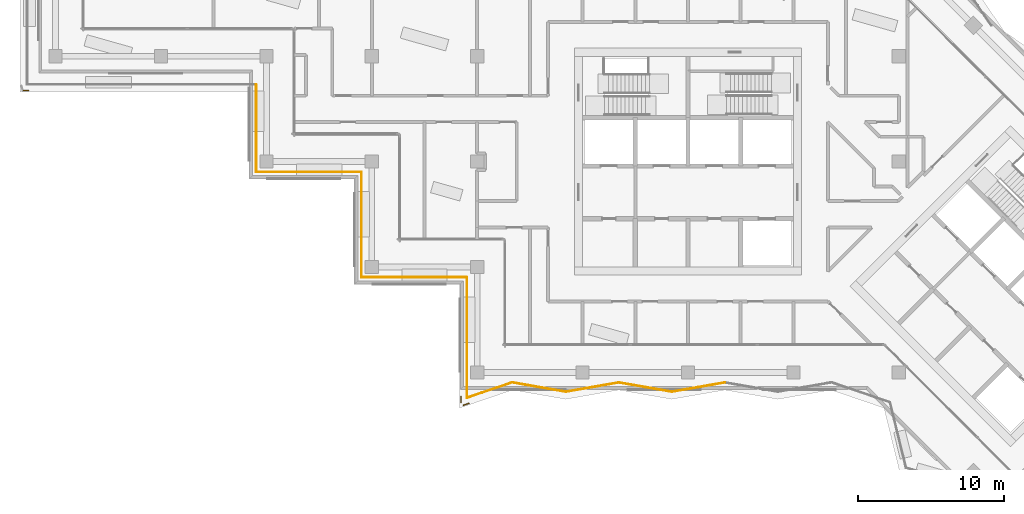
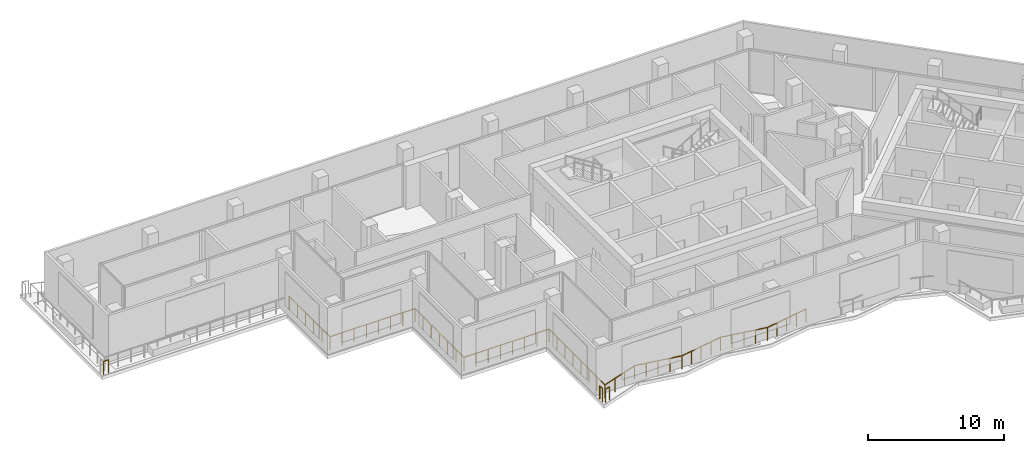
# One storey, part 14 of 19: 13 railings.
"""IFC4 building model written with IfcOpenShell, lengths in metres."""

import ifcopenshell
import ifcopenshell.guid

model = None  # the IFC model being written
_history = None  # IfcOwnerHistory: only IFC2X3 demands one
_inside = {}  # id of a spatial element -> (the spatial element, [elements in it])
_under = {}  # id of a project, library or spatial element -> (it, [spatial elements below it])
_declared = {}  # id of a project -> (the project, [libraries it declares])
_typed = {}  # id of a type object -> (the type object, [elements of that type])
_made_of = {}  # id of a material, layer set ... -> (it, [elements and type objects made of it])


def new_model(schema):
    """Start an empty IFC model of exactly this schema.

    Asked for "IFC4X3", IfcOpenShell would pick the latest addendum, in which some entities
    have other attributes; the version numbers below select the first issue.
    IFC2X3 requires an IfcOwnerHistory on every rooted entity: one is made here for all.
    """
    global model, _history
    if schema == "IFC4X3":
        model = ifcopenshell.file(schema_version=(4, 3, 0, 0))
    else:
        model = ifcopenshell.file(schema=schema)
    _inside.clear()
    _under.clear()
    _declared.clear()
    _typed.clear()
    _made_of.clear()
    _history = None
    if model.schema == "IFC2X3":
        org = make("IfcOrganization", Name="unknown")
        user = make(
            "IfcPersonAndOrganization",
            ThePerson=make("IfcPerson", FamilyName="unknown"),
            TheOrganization=org,
        )
        app = make(
            "IfcApplication",
            ApplicationDeveloper=org,
            Version="unknown",
            ApplicationFullName="unknown",
            ApplicationIdentifier="unknown",
        )
        _history = make(
            "IfcOwnerHistory",
            OwningUser=user,
            OwningApplication=app,
            ChangeAction="ADDED",
            CreationDate=0,
        )
    return model


def make(cls, **values):
    """One entity of the class cls with the attributes given. An attribute that is None is left unset."""
    return model.create_entity(
        cls, **{name: value for name, value in values.items() if value is not None}
    )


def rooted(cls, **values):
    """An entity with a GlobalId (a new one), such as an element, a storey or a relation."""
    return make(cls, GlobalId=ifcopenshell.guid.new(), OwnerHistory=_history, **values)


def si_unit(unit_type, name, prefix=None):
    """IfcSIUnit, for example si_unit("LENGTHUNIT", "METRE", prefix="MILLI")."""
    return make("IfcSIUnit", UnitType=unit_type, Prefix=prefix, Name=name)


def assignment(units):
    """IfcUnitAssignment: the units of a project."""
    return None if units is None else make("IfcUnitAssignment", Units=units)


def point(xyz):
    """IfcCartesianPoint."""
    return None if xyz is None else make("IfcCartesianPoint", Coordinates=xyz)


def direction(xyz):
    """IfcDirection."""
    return None if xyz is None else make("IfcDirection", DirectionRatios=xyz)


def frame(location, z_axis=None, x_axis=None):
    """IfcAxis2Placement3D, a coordinate frame: its origin and axes. An axis left out is left unset."""
    return make(
        "IfcAxis2Placement3D",
        Location=point(location),
        Axis=direction(z_axis),
        RefDirection=direction(x_axis),
    )


def frame_2d(location, x_axis=None):
    """IfcAxis2Placement2D, a coordinate frame in the plane: its origin and x axis."""
    return make(
        "IfcAxis2Placement2D", Location=point(location), RefDirection=direction(x_axis)
    )


def origin():
    """The frame at (0, 0, 0) with its axes left unset."""
    return frame((0.0, 0.0, 0.0))


def origin_2d():
    """The frame at (0, 0) in the plane with its x axis left unset."""
    return frame_2d((0.0, 0.0))


def place(relative_to, where):
    """IfcLocalPlacement: puts the frame where relative to a parent placement (None: the world)."""
    return make(
        "IfcLocalPlacement", PlacementRelTo=relative_to, RelativePlacement=where
    )


def context(
    kind, dimensions, precision=None, world=None, true_north=None, identifier=None
):
    """IfcGeometricRepresentationContext, for example the 3D "Model" context."""
    return make(
        "IfcGeometricRepresentationContext",
        ContextIdentifier=identifier,
        ContextType=kind,
        CoordinateSpaceDimension=dimensions,
        Precision=precision,
        WorldCoordinateSystem=world,
        TrueNorth=true_north,
    )


def subcontext(parent, identifier, kind, view, scale=None):
    """IfcGeometricRepresentationSubContext, for example "Body" below "Model"."""
    return make(
        "IfcGeometricRepresentationSubContext",
        ContextIdentifier=identifier,
        ContextType=kind,
        ParentContext=parent,
        TargetScale=scale,
        TargetView=view,
    )


def project(units=None, contexts=None):
    """IfcProject with its units and contexts."""
    return rooted(
        "IfcProject",
        Name="project",
        RepresentationContexts=contexts,
        UnitsInContext=assignment(units),
    )


def spatial(cls, under=None, at=None, **own):
    """A site, building, storey or space (cls), placed at a placement, below another one or the project."""
    s = rooted(cls, ObjectPlacement=at, **own)
    if under is not None:
        _under.setdefault(under.id(), (under, []))[1].append(s)
    return s


def profile(cls, at=None, kind="AREA", **sizes):
    """A parametric profile (cls). Its sizes go by their IFC names, for example OverallWidth=200.0."""
    return make(cls, ProfileType=kind, Position=at, **sizes)


def circle(**sizes):
    """IfcCircleProfileDef."""
    return profile("IfcCircleProfileDef", **sizes)


def extrude(swept, where, along, depth):
    """IfcExtrudedAreaSolid: the profile swept, set in the frame where, extruded along a direction by depth."""
    return make(
        "IfcExtrudedAreaSolid",
        SweptArea=swept,
        Position=where,
        ExtrudedDirection=direction(along),
        Depth=depth,
    )


def shape(context_of_items, identifier, shape_type, items):
    """IfcShapeRepresentation: the items that make up one representation, for example the "Body"."""
    return make(
        "IfcShapeRepresentation",
        ContextOfItems=context_of_items,
        RepresentationIdentifier=identifier,
        RepresentationType=shape_type,
        Items=items,
    )


def material(Name=None, Category=None):
    """IfcMaterial."""
    return make("IfcMaterial", Name=Name, Category=Category)


def made_of(thing, what):
    """Note that an element or type object is made of a material, layer set ...; save() writes the relation."""
    if what is not None:
        _made_of.setdefault(what.id(), (what, []))[1].append(thing)
    return thing


def type_object(cls, material=None, **own):
    """A type object (cls), such as IfcWallType, which elements share."""
    return made_of(rooted(cls, **own), material)


def element(
    cls,
    number,
    at=None,
    inside=None,
    cuts=None,
    type_object=None,
    material=None,
    context=None,
    identifier="Body",
    shape_type=None,
    held_by="IfcProductDefinitionShape",
    body=None,
    shapes=None,
    **own,
):
    """One element of the class cls, such as IfcWall. Its Tag is "e" and its number.

    at: its placement. inside: the storey or other place that contains it. cuts: it is an
    opening in that element (IfcRelVoidsElement). A single representation is given by context,
    identifier, shape_type and body (its items); several are given by shapes. held_by: the class
    of the entity that holds the representations. save() writes the other relations.
    """
    e = rooted(cls, Tag="e%d" % number, ObjectPlacement=at, **own)
    if body is not None:
        shapes = [shape(context, identifier, shape_type, body)]
    if shapes is not None:
        e.Representation = make(held_by, Representations=shapes)
    if inside is not None:
        _inside.setdefault(inside.id(), (inside, []))[1].append(e)
    if cuts is not None:
        rooted(
            "IfcRelVoidsElement", RelatingBuildingElement=cuts, RelatedOpeningElement=e
        )
    if type_object is not None:
        _typed.setdefault(type_object.id(), (type_object, []))[1].append(e)
    return made_of(e, material)


def aggregate(whole, parts):
    """IfcRelAggregates: a whole, such as a stair, and the parts it consists of."""
    return rooted("IfcRelAggregates", RelatingObject=whole, RelatedObjects=parts)


def save(model, path):
    """Write the relations noted so far, then the file.

    IfcRelAggregates (storeys below a building ...), IfcRelContainedInSpatialStructure (elements
    in a storey), IfcRelDefinesByType, IfcRelAssociatesMaterial and IfcRelDeclares: one each for
    every whole, place, type object, material and project.
    """
    for whole, parts in _under.values():
        aggregate(whole, parts)
    for where, things in _inside.values():
        rooted(
            "IfcRelContainedInSpatialStructure",
            RelatedElements=things,
            RelatingStructure=where,
        )
    for kind, things in _typed.values():
        rooted("IfcRelDefinesByType", RelatedObjects=things, RelatingType=kind)
    for what, things in _made_of.values():
        rooted("IfcRelAssociatesMaterial", RelatedObjects=things, RelatingMaterial=what)
    for by, libraries in _declared.values():
        rooted("IfcRelDeclares", RelatingContext=by, RelatedDefinitions=libraries)
    model.write(path)


model = new_model("IFC4")

# Units and contexts
model_context = context("Model", 3, precision=1e-05, world=origin(), true_north=direction((0.0, 1.0)))
body_context = subcontext(model_context, "Body", "Model", "MODEL_VIEW")
ifc_project = project(units=[si_unit("LENGTHUNIT", "METRE"), si_unit("AREAUNIT", "SQUARE_METRE"), si_unit("VOLUMEUNIT", "CUBIC_METRE"), si_unit("PLANEANGLEUNIT", "RADIAN"), si_unit("MASSUNIT", "GRAM", prefix="KILO")], contexts=[model_context])

# Site, building, storey
site_placement = place(None, origin())
site = spatial("IfcSite", under=ifc_project, at=site_placement, CompositionType="ELEMENT")
building_placement = place(site_placement, origin())
building = spatial("IfcBuilding", under=site, at=building_placement, Name="Windrow Commons", CompositionType="ELEMENT")
storey_placement = place(building_placement, frame((0.0, 0.0, 176.2)))
storey = spatial("IfcBuildingStorey", under=building, at=storey_placement, Name="L48", CompositionType="ELEMENT", Elevation=176.2)

# Railings
ifc_material = material(Name="Stainless steel S316 balustrade with toughened glass infill", Category="steel")
railing_type = type_object("IfcRailingType", Name="Terrace guard 1200 podium", PredefinedType="BALUSTRADE", material=ifc_material)
railing_1_placement = place(storey_placement, frame((67.3181, 42.5076, 0.05)))
element("IfcRailing", 1, at=railing_1_placement, inside=storey, type_object=railing_type, Name="Guard TR-L48-1.E2", PredefinedType="BALUSTRADE", context=body_context, shape_type="SweptSolid", body=[
    extrude(circle(Radius=0.025, at=origin_2d()), frame((0.0, 0.0, 1.175), z_axis=(-0.9850833883, -0.1720776512, 0.0), x_axis=(0.1720776512, -0.9850833883, 0.0)), (0.0, 0.0, 1.0), 3.6786),
    extrude(circle(Radius=0.02, at=origin_2d()), origin(), (0.0, 0.0, 1.0), 1.15),
    extrude(circle(Radius=0.02, at=origin_2d()), frame((-0.9059, -0.1582, 0.0)), (0.0, 0.0, 1.0), 1.15),
    extrude(circle(Radius=0.02, at=origin_2d()), frame((-1.8118, -0.3165, 0.0)), (0.0, 0.0, 1.0), 1.15),
    extrude(circle(Radius=0.02, at=origin_2d()), frame((-2.7178, -0.4747, 0.0)), (0.0, 0.0, 1.0), 1.15),
    extrude(circle(Radius=0.02, at=origin_2d()), frame((-3.6237, -0.633, 0.0)), (0.0, 0.0, 1.0), 1.15),
])
railing_2_placement = place(storey_placement, frame((63.6944, 41.8746, 0.05)))
element("IfcRailing", 2, at=railing_2_placement, inside=storey, type_object=railing_type, Name="Guard TR-L48-1.E3", PredefinedType="BALUSTRADE", context=body_context, shape_type="SweptSolid", body=[
    extrude(circle(Radius=0.025, at=origin_2d()), frame((0.0, 0.0, 1.175), z_axis=(-0.9850825833, 0.1720822594, 0.0), x_axis=(-0.1720822594, -0.9850825833, 0.0)), (0.0, 0.0, 1.0), 3.6785),
    extrude(circle(Radius=0.02, at=origin_2d()), origin(), (0.0, 0.0, 1.0), 1.15),
    extrude(circle(Radius=0.02, at=origin_2d()), frame((-0.9059, 0.1582, 0.0)), (0.0, 0.0, 1.0), 1.15),
    extrude(circle(Radius=0.02, at=origin_2d()), frame((-1.8118, 0.3165, 0.0)), (0.0, 0.0, 1.0), 1.15),
    extrude(circle(Radius=0.02, at=origin_2d()), frame((-2.7177, 0.4747, 0.0)), (0.0, 0.0, 1.0), 1.15),
    extrude(circle(Radius=0.02, at=origin_2d()), frame((-3.6236, 0.633, 0.0)), (0.0, 0.0, 1.0), 1.15),
])
railing_3_placement = place(storey_placement, frame((60.0708, 42.5076, 0.05)))
element("IfcRailing", 3, at=railing_3_placement, inside=storey, type_object=railing_type, Name="Guard TR-L48-1.E4", PredefinedType="BALUSTRADE", context=body_context, shape_type="SweptSolid", body=[
    extrude(circle(Radius=0.025, at=origin_2d()), frame((0.0, 0.0, 1.175), z_axis=(-0.9850825833, -0.1720822594, 0.0), x_axis=(0.1720822594, -0.9850825833, 0.0)), (0.0, 0.0, 1.0), 3.6785),
    extrude(circle(Radius=0.02, at=origin_2d()), origin(), (0.0, 0.0, 1.0), 1.15),
    extrude(circle(Radius=0.02, at=origin_2d()), frame((-0.9059, -0.1582, 0.0)), (0.0, 0.0, 1.0), 1.15),
    extrude(circle(Radius=0.02, at=origin_2d()), frame((-1.8118, -0.3165, 0.0)), (0.0, 0.0, 1.0), 1.15),
    extrude(circle(Radius=0.02, at=origin_2d()), frame((-2.7177, -0.4747, 0.0)), (0.0, 0.0, 1.0), 1.15),
    extrude(circle(Radius=0.02, at=origin_2d()), frame((-3.6236, -0.633, 0.0)), (0.0, 0.0, 1.0), 1.15),
])
railing_4_placement = place(storey_placement, frame((56.4472, 41.8746, 0.05)))
element("IfcRailing", 4, at=railing_4_placement, inside=storey, type_object=railing_type, Name="Guard TR-L48-1.E5", PredefinedType="BALUSTRADE", context=body_context, shape_type="SweptSolid", body=[
    extrude(circle(Radius=0.025, at=origin_2d()), frame((0.0, 0.0, 1.175), z_axis=(-0.9850820148, 0.1720855141, 0.0), x_axis=(-0.1720855141, -0.9850820148, 0.0)), (0.0, 0.0, 1.0), 3.7191),
    extrude(circle(Radius=0.02, at=origin_2d()), origin(), (0.0, 0.0, 1.0), 1.15),
    extrude(circle(Radius=0.02, at=origin_2d()), frame((-0.9159, 0.16, 0.0)), (0.0, 0.0, 1.0), 1.15),
    extrude(circle(Radius=0.02, at=origin_2d()), frame((-1.8318, 0.32, 0.0)), (0.0, 0.0, 1.0), 1.15),
    extrude(circle(Radius=0.02, at=origin_2d()), frame((-2.7477, 0.48, 0.0)), (0.0, 0.0, 1.0), 1.15),
    extrude(circle(Radius=0.02, at=origin_2d()), frame((-3.6636, 0.64, 0.0)), (0.0, 0.0, 1.0), 1.15),
])
railing_5_placement = place(storey_placement, frame((52.7836, 42.5146, 0.05)))
element("IfcRailing", 5, at=railing_5_placement, inside=storey, type_object=railing_type, Name="Guard TR-L48-1.E6", PredefinedType="BALUSTRADE", context=body_context, shape_type="SweptSolid", body=[
    extrude(circle(Radius=0.025, at=origin_2d()), frame((0.0, 0.0, 1.175), z_axis=(-0.9466907499, -0.3221437942, 0.0), x_axis=(0.3221437942, -0.9466907499, 0.0)), (0.0, 0.0, 1.0), 3.2572),
    extrude(circle(Radius=0.02, at=origin_2d()), origin(), (0.0, 0.0, 1.0), 1.15),
    extrude(circle(Radius=0.02, at=origin_2d()), frame((-1.0279, -0.3498, 0.0)), (0.0, 0.0, 1.0), 1.15),
    extrude(circle(Radius=0.02, at=origin_2d()), frame((-2.0557, -0.6995, 0.0)), (0.0, 0.0, 1.0), 1.15),
    extrude(circle(Radius=0.02, at=origin_2d()), frame((-3.0836, -1.0493, 0.0)), (0.0, 0.0, 1.0), 1.15),
])
railing_6_placement = place(storey_placement, frame((49.7, 41.4653, 0.05)))
element("IfcRailing", 6, at=railing_6_placement, inside=storey, type_object=railing_type, Name="Guard TR-L48-1.E7", PredefinedType="BALUSTRADE", context=body_context, shape_type="SweptSolid", body=[
    extrude(circle(Radius=0.025, at=origin_2d()), frame((0.0, 0.0, 1.175), z_axis=(0.0, 1.0, 0.0), x_axis=(-1.0, 0.0, 0.0)), (0.0, 0.0, 1.0), 8.2347),
    extrude(circle(Radius=0.02, at=origin_2d()), origin(), (0.0, 0.0, 1.0), 1.15),
    extrude(circle(Radius=0.02, at=origin_2d()), frame((0.0, 1.1764, 0.0)), (0.0, 0.0, 1.0), 1.15),
    extrude(circle(Radius=0.02, at=origin_2d()), frame((0.0, 2.3528, 0.0)), (0.0, 0.0, 1.0), 1.15),
    extrude(circle(Radius=0.02, at=origin_2d()), frame((0.0, 3.5292, 0.0)), (0.0, 0.0, 1.0), 1.15),
    extrude(circle(Radius=0.02, at=origin_2d()), frame((0.0, 4.7055, 0.0)), (0.0, 0.0, 1.0), 1.15),
    extrude(circle(Radius=0.02, at=origin_2d()), frame((0.0, 5.8819, 0.0)), (0.0, 0.0, 1.0), 1.15),
    extrude(circle(Radius=0.02, at=origin_2d()), frame((0.0, 7.0583, 0.0)), (0.0, 0.0, 1.0), 1.15),
    extrude(circle(Radius=0.02, at=origin_2d()), frame((0.0, 8.2347, 0.0)), (0.0, 0.0, 1.0), 1.15),
])
railing_7_placement = place(storey_placement, frame((49.7, 49.7, 0.05)))
element("IfcRailing", 7, at=railing_7_placement, inside=storey, type_object=railing_type, Name="Guard TR-L48-1.E8", PredefinedType="BALUSTRADE", context=body_context, shape_type="SweptSolid", body=[
    extrude(circle(Radius=0.025, at=origin_2d()), frame((0.0, 0.0, 1.175), z_axis=(-1.0, 0.0, 0.0), x_axis=(0.0, -1.0, 0.0)), (0.0, 0.0, 1.0), 7.2),
    extrude(circle(Radius=0.02, at=origin_2d()), origin(), (0.0, 0.0, 1.0), 1.15),
    extrude(circle(Radius=0.02, at=origin_2d()), frame((-1.0286, 0.0, 0.0)), (0.0, 0.0, 1.0), 1.15),
    extrude(circle(Radius=0.02, at=origin_2d()), frame((-2.0571, 0.0, 0.0)), (0.0, 0.0, 1.0), 1.15),
    extrude(circle(Radius=0.02, at=origin_2d()), frame((-3.0857, 0.0, 0.0)), (0.0, 0.0, 1.0), 1.15),
    extrude(circle(Radius=0.02, at=origin_2d()), frame((-4.1143, 0.0, 0.0)), (0.0, 0.0, 1.0), 1.15),
    extrude(circle(Radius=0.02, at=origin_2d()), frame((-5.1429, 0.0, 0.0)), (0.0, 0.0, 1.0), 1.15),
    extrude(circle(Radius=0.02, at=origin_2d()), frame((-6.1714, 0.0, 0.0)), (0.0, 0.0, 1.0), 1.15),
    extrude(circle(Radius=0.02, at=origin_2d()), frame((-7.2, 0.0, 0.0)), (0.0, 0.0, 1.0), 1.15),
])
railing_8_placement = place(storey_placement, frame((42.5, 49.7, 0.05)))
element("IfcRailing", 8, at=railing_8_placement, inside=storey, type_object=railing_type, Name="Guard TR-L48-1.E9", PredefinedType="BALUSTRADE", context=body_context, shape_type="SweptSolid", body=[
    extrude(circle(Radius=0.025, at=origin_2d()), frame((0.0, 0.0, 1.175), z_axis=(0.0, 1.0, 0.0), x_axis=(-1.0, 0.0, 0.0)), (0.0, 0.0, 1.0), 7.2),
    extrude(circle(Radius=0.02, at=origin_2d()), origin(), (0.0, 0.0, 1.0), 1.15),
    extrude(circle(Radius=0.02, at=origin_2d()), frame((0.0, 1.2, 0.0)), (0.0, 0.0, 1.0), 1.15),
    extrude(circle(Radius=0.02, at=origin_2d()), frame((0.0, 2.4, 0.0)), (0.0, 0.0, 1.0), 1.15),
    extrude(circle(Radius=0.02, at=origin_2d()), frame((0.0, 3.6, 0.0)), (0.0, 0.0, 1.0), 1.15),
    extrude(circle(Radius=0.02, at=origin_2d()), frame((0.0, 4.8, 0.0)), (0.0, 0.0, 1.0), 1.15),
    extrude(circle(Radius=0.02, at=origin_2d()), frame((0.0, 6.0, 0.0)), (0.0, 0.0, 1.0), 1.15),
    extrude(circle(Radius=0.02, at=origin_2d()), frame((0.0, 7.2, 0.0)), (0.0, 0.0, 1.0), 1.15),
])
railing_9_placement = place(storey_placement, frame((42.5, 56.9, 0.05)))
element("IfcRailing", 9, at=railing_9_placement, inside=storey, type_object=railing_type, Name="Guard TR-L48-1.E10", PredefinedType="BALUSTRADE", context=body_context, shape_type="SweptSolid", body=[
    extrude(circle(Radius=0.025, at=origin_2d()), frame((0.0, 0.0, 1.175), z_axis=(-1.0, 0.0, 0.0), x_axis=(0.0, -1.0, 0.0)), (0.0, 0.0, 1.0), 7.2),
    extrude(circle(Radius=0.02, at=origin_2d()), origin(), (0.0, 0.0, 1.0), 1.15),
    extrude(circle(Radius=0.02, at=origin_2d()), frame((-1.0286, 0.0, 0.0)), (0.0, 0.0, 1.0), 1.15),
    extrude(circle(Radius=0.02, at=origin_2d()), frame((-2.0571, 0.0, 0.0)), (0.0, 0.0, 1.0), 1.15),
    extrude(circle(Radius=0.02, at=origin_2d()), frame((-3.0857, 0.0, 0.0)), (0.0, 0.0, 1.0), 1.15),
    extrude(circle(Radius=0.02, at=origin_2d()), frame((-4.1143, 0.0, 0.0)), (0.0, 0.0, 1.0), 1.15),
    extrude(circle(Radius=0.02, at=origin_2d()), frame((-5.1429, 0.0, 0.0)), (0.0, 0.0, 1.0), 1.15),
    extrude(circle(Radius=0.02, at=origin_2d()), frame((-6.1714, 0.0, 0.0)), (0.0, 0.0, 1.0), 1.15),
    extrude(circle(Radius=0.02, at=origin_2d()), frame((-7.2, 0.0, 0.0)), (0.0, 0.0, 1.0), 1.15),
])
railing_10_placement = place(storey_placement, frame((35.3, 56.9, 0.05)))
element("IfcRailing", 10, at=railing_10_placement, inside=storey, type_object=railing_type, Name="Guard TR-L48-1.E11", PredefinedType="BALUSTRADE", context=body_context, shape_type="SweptSolid", body=[
    extrude(circle(Radius=0.025, at=origin_2d()), frame((0.0, 0.0, 1.175), z_axis=(0.0, 1.0, 0.0), x_axis=(-1.0, 0.0, 0.0)), (0.0, 0.0, 1.0), 5.967),
    extrude(circle(Radius=0.02, at=origin_2d()), origin(), (0.0, 0.0, 1.0), 1.15),
    extrude(circle(Radius=0.02, at=origin_2d()), frame((0.0, 1.1934, 0.0)), (0.0, 0.0, 1.0), 1.15),
    extrude(circle(Radius=0.02, at=origin_2d()), frame((0.0, 2.3868, 0.0)), (0.0, 0.0, 1.0), 1.15),
    extrude(circle(Radius=0.02, at=origin_2d()), frame((0.0, 3.5802, 0.0)), (0.0, 0.0, 1.0), 1.15),
    extrude(circle(Radius=0.02, at=origin_2d()), frame((0.0, 4.7736, 0.0)), (0.0, 0.0, 1.0), 1.15),
    extrude(circle(Radius=0.02, at=origin_2d()), frame((0.0, 5.967, 0.0)), (0.0, 0.0, 1.0), 1.15),
])
railing_11_placement = place(storey_placement, frame((19.7437, 62.467, 0.05)))
element("IfcRailing", 11, at=railing_11_placement, inside=storey, type_object=railing_type, Name="Guard TR-L48-1.C180", PredefinedType="BALUSTRADE", context=body_context, shape_type="SweptSolid", body=[
    extrude(circle(Radius=0.025, at=origin_2d()), frame((0.0, 0.0, 1.175), z_axis=(-1.0, 0.0, 0.0), x_axis=(0.0, -1.0, 0.0)), (0.0, 0.0, 1.0), 0.4002),
    extrude(circle(Radius=0.02, at=origin_2d()), origin(), (0.0, 0.0, 1.0), 1.15),
    extrude(circle(Radius=0.02, at=origin_2d()), frame((-0.4002, 0.0, 0.0)), (0.0, 0.0, 1.0), 1.15),
])
railing_12_placement = place(storey_placement, frame((49.8422, 41.0911, 0.05)))
element("IfcRailing", 12, at=railing_12_placement, inside=storey, type_object=railing_type, Name="Guard TR-L48-1.C182", PredefinedType="BALUSTRADE", context=body_context, shape_type="SweptSolid", body=[
    extrude(circle(Radius=0.025, at=origin_2d()), frame((0.0, 0.0, 1.175), z_axis=(-0.9467248203, -0.3220436532, 0.0), x_axis=(0.3220436532, -0.9467248203, 0.0)), (0.0, 0.0, 1.0), 0.4071),
    extrude(circle(Radius=0.02, at=origin_2d()), origin(), (0.0, 0.0, 1.0), 1.15),
    extrude(circle(Radius=0.02, at=origin_2d()), frame((-0.3854, -0.1311, 0.0)), (0.0, 0.0, 1.0), 1.15),
])
railing_13_placement = place(storey_placement, frame((49.3, 41.1481, 0.05)))
element("IfcRailing", 13, at=railing_13_placement, inside=storey, type_object=railing_type, Name="Guard TR-L48-1.C183", PredefinedType="BALUSTRADE", context=body_context, shape_type="SweptSolid", body=[
    extrude(circle(Radius=0.025, at=origin_2d()), frame((0.0, 0.0, 1.175), z_axis=(0.0, 1.0, 0.0), x_axis=(-1.0, 0.0, 0.0)), (0.0, 0.0, 1.0), 0.4071),
    extrude(circle(Radius=0.02, at=origin_2d()), origin(), (0.0, 0.0, 1.0), 1.15),
    extrude(circle(Radius=0.02, at=origin_2d()), frame((0.0, 0.4071, 0.0)), (0.0, 0.0, 1.0), 1.15),
])

save(model, "model.ifc")
